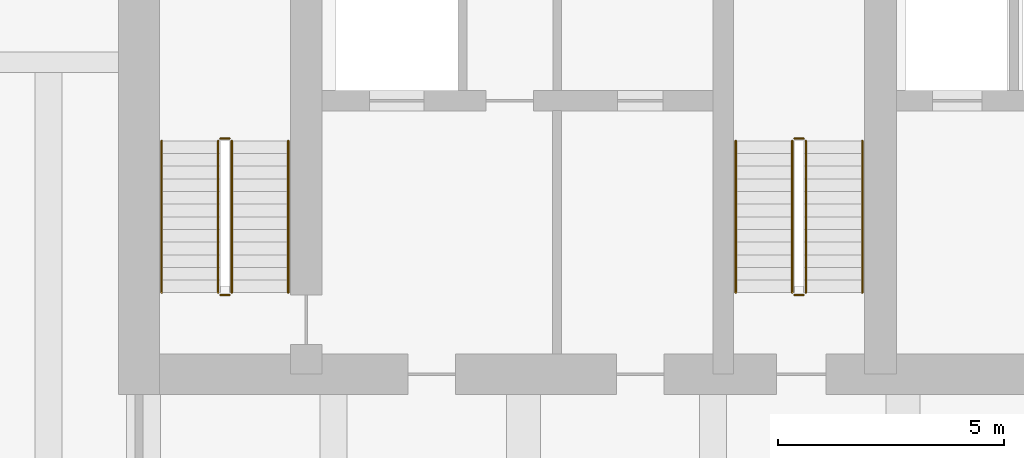
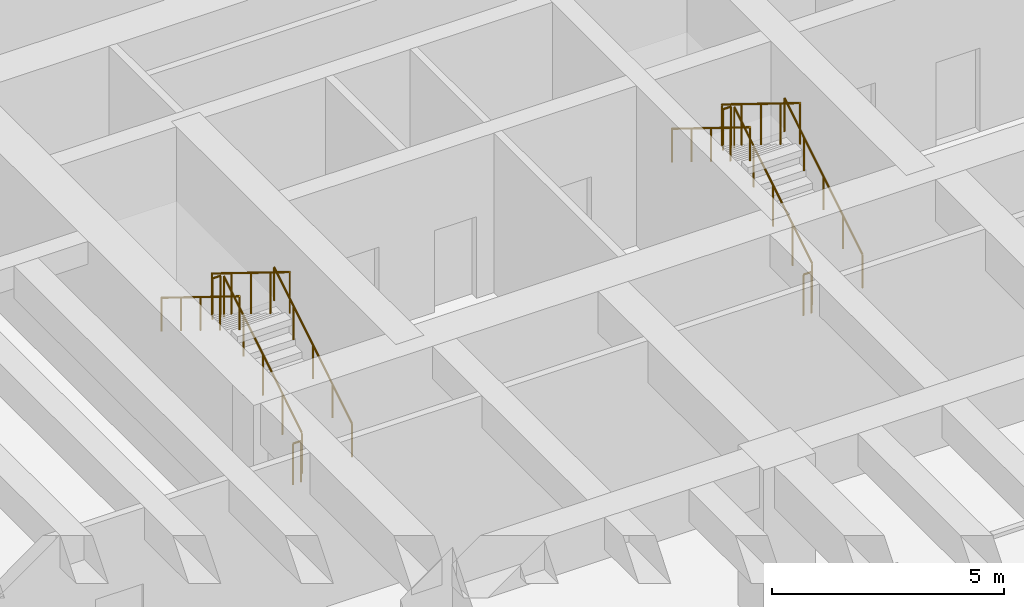
# One storey, part 7 of 8: 12 railings.
"""IFC4 building model written with IfcOpenShell, lengths in metres."""

from ifc_helpers import new_model, si_unit, direction, frame, origin, origin_2d, place, context, subcontext, project, spatial, circle, extrude, material, type_object, element, save


model = new_model("IFC4")

# Units and contexts
model_context = context("Model", 3, precision=1e-05, world=origin(), true_north=direction((0.0, 1.0)))
body_context = subcontext(model_context, "Body", "Model", "MODEL_VIEW")
ifc_project = project(units=[si_unit("LENGTHUNIT", "METRE"), si_unit("AREAUNIT", "SQUARE_METRE"), si_unit("VOLUMEUNIT", "CUBIC_METRE"), si_unit("PLANEANGLEUNIT", "RADIAN"), si_unit("MASSUNIT", "GRAM", prefix="KILO")], contexts=[model_context])

# Site, building, storey
site_placement = place(None, origin())
site = spatial("IfcSite", under=ifc_project, at=site_placement, CompositionType="ELEMENT")
building_placement = place(site_placement, origin())
building = spatial("IfcBuilding", under=site, at=building_placement, Name="Caelmar Bay Residences", CompositionType="ELEMENT")
storey_placement = place(building_placement, frame((0.0, 0.0, -4.5)))
storey = spatial("IfcBuildingStorey", under=building, at=storey_placement, Name="B01", CompositionType="ELEMENT", Elevation=-4.5)

# Railings
ifc_material_1 = material(Name="Painted galvanized steel stair guard 1100 mm", Category="steel")
railing_type_1 = type_object("IfcRailingType", Name="RL-GRD-1100", PredefinedType="GUARDRAIL", material=ifc_material_1)
railing_1_placement = place(storey_placement, frame((20.25, 38.699951171875, 0.173095703125)))
element("IfcRailing", 1, at=railing_1_placement, inside=storey, type_object=railing_type_1, Name="B01 ST1 stair guard 1", PredefinedType="GUARDRAIL", context=body_context, shape_type="SweptSolid", body=[
    extrude(circle(Radius=0.02392578125, at=origin_2d()), frame((0.0, 0.0, 1.076171875), z_axis=(0.0, 0.850623216509, 0.525775754039), x_axis=(-1.0, 0.0, 0.0)), (0.0, 0.0, 1.0), 3.9501953125),
    extrude(circle(Radius=0.02099609375, at=origin_2d()), origin(), (0.0, 0.0, 1.0), 1.052001953125),
    extrude(circle(Radius=0.02099609375, at=origin_2d()), frame((0.0, 0.840087890625, 0.519287109375)), (0.0, 0.0, 1.0), 1.052001953125),
    extrude(circle(Radius=0.02099609375, at=origin_2d()), frame((0.0, 1.68017578125, 1.03857421875)), (0.0, 0.0, 1.0), 1.052001953125),
    extrude(circle(Radius=0.02099609375, at=origin_2d()), frame((0.0, 2.52001953125, 1.5576171875)), (0.0, 0.0, 1.0), 1.052001953125),
    extrude(circle(Radius=0.02099609375, at=origin_2d()), frame((0.0, 3.360107421875, 2.076904296875)), (0.0, 0.0, 1.0), 1.052001953125),
])
railing_2_placement = place(storey_placement, frame((20.199951171875, 42.110107421875, 2.25)))
element("IfcRailing", 2, at=railing_2_placement, inside=storey, type_object=railing_type_1, Name="B01 ST1 stair guard 2", PredefinedType="GUARDRAIL", context=body_context, shape_type="SweptSolid", body=[
    extrude(circle(Radius=0.02392578125, at=origin_2d()), frame((0.0, 0.0, 1.076171875), z_axis=(-1.0, 0.0, 0.0), x_axis=(0.0, -1.0, 0.0)), (0.0, 0.0, 1.0), 0.199951171875),
    extrude(circle(Radius=0.02099609375, at=origin_2d()), origin(), (0.0, 0.0, 1.0), 1.052001953125),
    extrude(circle(Radius=0.02099609375, at=origin_2d()), frame((-0.199951171875, 0.0, 0.0)), (0.0, 0.0, 1.0), 1.052001953125),
])
railing_3_placement = place(storey_placement, frame((19.949951171875, 42.06005859375, 2.423095703125)))
element("IfcRailing", 3, at=railing_3_placement, inside=storey, type_object=railing_type_1, Name="B01 ST1 stair guard 3", PredefinedType="GUARDRAIL", context=body_context, shape_type="SweptSolid", body=[
    extrude(circle(Radius=0.02392578125, at=origin_2d()), frame((0.0, 0.0, 1.076171875), z_axis=(0.0, -0.850623216509, 0.525775754039), x_axis=(1.0, 0.0, 0.0)), (0.0, 0.0, 1.0), 3.9501953125),
    extrude(circle(Radius=0.02099609375, at=origin_2d()), origin(), (0.0, 0.0, 1.0), 1.052001953125),
    extrude(circle(Radius=0.02099609375, at=origin_2d()), frame((0.0, -0.840087890625, 0.519287109375)), (0.0, 0.0, 1.0), 1.052001953125),
    extrude(circle(Radius=0.02099609375, at=origin_2d()), frame((0.0, -1.68017578125, 1.03857421875)), (0.0, 0.0, 1.0), 1.052001953125),
    extrude(circle(Radius=0.02099609375, at=origin_2d()), frame((0.0, -2.52001953125, 1.5576171875)), (0.0, 0.0, 1.0), 1.052001953125),
    extrude(circle(Radius=0.02099609375, at=origin_2d()), frame((0.0, -3.360107421875, 2.076904296875)), (0.0, 0.0, 1.0), 1.052001953125),
])
railing_4_placement = place(storey_placement, frame((20.199951171875, 38.64990234375, 0.0)))
element("IfcRailing", 4, at=railing_4_placement, inside=storey, type_object=railing_type_1, Name="B01 ST1 stair guard 4", PredefinedType="GUARDRAIL", context=body_context, shape_type="SweptSolid", body=[
    extrude(circle(Radius=0.02392578125, at=origin_2d()), frame((0.0, 0.0, 1.076171875), z_axis=(-1.0, 0.0, 0.0), x_axis=(0.0, -1.0, 0.0)), (0.0, 0.0, 1.0), 0.199951171875),
    extrude(circle(Radius=0.02099609375, at=origin_2d()), origin(), (0.0, 0.0, 1.0), 1.052001953125),
    extrude(circle(Radius=0.02099609375, at=origin_2d()), frame((-0.199951171875, 0.0, 0.0)), (0.0, 0.0, 1.0), 1.052001953125),
])
railing_5_placement = place(storey_placement, frame((32.949951171875, 38.699951171875, 0.173095703125)))
element("IfcRailing", 5, at=railing_5_placement, inside=storey, type_object=railing_type_1, Name="B01 ST3 stair guard 1", PredefinedType="GUARDRAIL", context=body_context, shape_type="SweptSolid", body=[
    extrude(circle(Radius=0.02392578125, at=origin_2d()), frame((0.0, 0.0, 1.076171875), z_axis=(0.0, 0.850623216509, 0.525775754039), x_axis=(-1.0, 0.0, 0.0)), (0.0, 0.0, 1.0), 3.9501953125),
    extrude(circle(Radius=0.02099609375, at=origin_2d()), origin(), (0.0, 0.0, 1.0), 1.052001953125),
    extrude(circle(Radius=0.02099609375, at=origin_2d()), frame((0.0, 0.840087890625, 0.519287109375)), (0.0, 0.0, 1.0), 1.052001953125),
    extrude(circle(Radius=0.02099609375, at=origin_2d()), frame((0.0, 1.68017578125, 1.03857421875)), (0.0, 0.0, 1.0), 1.052001953125),
    extrude(circle(Radius=0.02099609375, at=origin_2d()), frame((0.0, 2.52001953125, 1.5576171875)), (0.0, 0.0, 1.0), 1.052001953125),
    extrude(circle(Radius=0.02099609375, at=origin_2d()), frame((0.0, 3.360107421875, 2.076904296875)), (0.0, 0.0, 1.0), 1.052001953125),
])
railing_6_placement = place(storey_placement, frame((32.89990234375, 42.110107421875, 2.25)))
element("IfcRailing", 6, at=railing_6_placement, inside=storey, type_object=railing_type_1, Name="B01 ST3 stair guard 2", PredefinedType="GUARDRAIL", context=body_context, shape_type="SweptSolid", body=[
    extrude(circle(Radius=0.02392578125, at=origin_2d()), frame((0.0, 0.0, 1.076171875), z_axis=(-1.0, 0.0, 0.0), x_axis=(0.0, -1.0, 0.0)), (0.0, 0.0, 1.0), 0.199951171875),
    extrude(circle(Radius=0.02099609375, at=origin_2d()), origin(), (0.0, 0.0, 1.0), 1.052001953125),
    extrude(circle(Radius=0.02099609375, at=origin_2d()), frame((-0.199951171875, 0.0, 0.0)), (0.0, 0.0, 1.0), 1.052001953125),
])
railing_7_placement = place(storey_placement, frame((32.64990234375, 42.06005859375, 2.423095703125)))
element("IfcRailing", 7, at=railing_7_placement, inside=storey, type_object=railing_type_1, Name="B01 ST3 stair guard 3", PredefinedType="GUARDRAIL", context=body_context, shape_type="SweptSolid", body=[
    extrude(circle(Radius=0.02392578125, at=origin_2d()), frame((0.0, 0.0, 1.076171875), z_axis=(0.0, -0.850623216509, 0.525775754039), x_axis=(1.0, 0.0, 0.0)), (0.0, 0.0, 1.0), 3.9501953125),
    extrude(circle(Radius=0.02099609375, at=origin_2d()), origin(), (0.0, 0.0, 1.0), 1.052001953125),
    extrude(circle(Radius=0.02099609375, at=origin_2d()), frame((0.0, -0.840087890625, 0.519287109375)), (0.0, 0.0, 1.0), 1.052001953125),
    extrude(circle(Radius=0.02099609375, at=origin_2d()), frame((0.0, -1.68017578125, 1.03857421875)), (0.0, 0.0, 1.0), 1.052001953125),
    extrude(circle(Radius=0.02099609375, at=origin_2d()), frame((0.0, -2.52001953125, 1.5576171875)), (0.0, 0.0, 1.0), 1.052001953125),
    extrude(circle(Radius=0.02099609375, at=origin_2d()), frame((0.0, -3.360107421875, 2.076904296875)), (0.0, 0.0, 1.0), 1.052001953125),
])
railing_8_placement = place(storey_placement, frame((32.89990234375, 38.64990234375, 0.0)))
element("IfcRailing", 8, at=railing_8_placement, inside=storey, type_object=railing_type_1, Name="B01 ST3 stair guard 4", PredefinedType="GUARDRAIL", context=body_context, shape_type="SweptSolid", body=[
    extrude(circle(Radius=0.02392578125, at=origin_2d()), frame((0.0, 0.0, 1.076171875), z_axis=(-1.0, 0.0, 0.0), x_axis=(0.0, -1.0, 0.0)), (0.0, 0.0, 1.0), 0.199951171875),
    extrude(circle(Radius=0.02099609375, at=origin_2d()), origin(), (0.0, 0.0, 1.0), 1.052001953125),
    extrude(circle(Radius=0.02099609375, at=origin_2d()), frame((-0.199951171875, 0.0, 0.0)), (0.0, 0.0, 1.0), 1.052001953125),
])
ifc_material_2 = material(Name="Brushed bronze stainless-steel tubular handrail 900 mm", Category="steel")
railing_type_2 = type_object("IfcRailingType", Name="RL-HND-900", PredefinedType="HANDRAIL", material=ifc_material_2)
railing_9_placement = place(storey_placement, frame((21.5, 38.699951171875, 0.173095703125)))
element("IfcRailing", 9, at=railing_9_placement, inside=storey, type_object=railing_type_2, Name="B01 ST1 stair handrail 1", PredefinedType="HANDRAIL", context=body_context, shape_type="SweptSolid", body=[
    extrude(circle(Radius=0.02392578125, at=origin_2d()), frame((0.0, 0.0, 0.8759765625), z_axis=(0.0, 0.850623216509, 0.525775754039), x_axis=(-1.0, 0.0, 0.0)), (0.0, 0.0, 1.0), 3.9501953125),
    extrude(circle(Radius=0.02099609375, at=origin_2d()), origin(), (0.0, 0.0, 1.0), 0.851806640625),
    extrude(circle(Radius=0.02099609375, at=origin_2d()), frame((0.0, 0.840087890625, 0.519287109375)), (0.0, 0.0, 1.0), 0.851806640625),
    extrude(circle(Radius=0.02099609375, at=origin_2d()), frame((0.0, 1.68017578125, 1.03857421875)), (0.0, 0.0, 1.0), 0.851806640625),
    extrude(circle(Radius=0.02099609375, at=origin_2d()), frame((0.0, 2.52001953125, 1.5576171875)), (0.0, 0.0, 1.0), 0.851806640625),
    extrude(circle(Radius=0.02099609375, at=origin_2d()), frame((0.0, 3.360107421875, 2.076904296875)), (0.0, 0.0, 1.0), 0.851806640625),
])
railing_10_placement = place(storey_placement, frame((18.699951171875, 42.06005859375, 2.423095703125)))
element("IfcRailing", 10, at=railing_10_placement, inside=storey, type_object=railing_type_2, Name="B01 ST1 stair handrail 2", PredefinedType="HANDRAIL", context=body_context, shape_type="SweptSolid", body=[
    extrude(circle(Radius=0.02392578125, at=origin_2d()), frame((0.0, 0.0, 0.8759765625), z_axis=(0.0, -0.850623216509, 0.525775754039), x_axis=(1.0, 0.0, 0.0)), (0.0, 0.0, 1.0), 3.9501953125),
    extrude(circle(Radius=0.02099609375, at=origin_2d()), origin(), (0.0, 0.0, 1.0), 0.851806640625),
    extrude(circle(Radius=0.02099609375, at=origin_2d()), frame((0.0, -0.840087890625, 0.519287109375)), (0.0, 0.0, 1.0), 0.851806640625),
    extrude(circle(Radius=0.02099609375, at=origin_2d()), frame((0.0, -1.68017578125, 1.03857421875)), (0.0, 0.0, 1.0), 0.851806640625),
    extrude(circle(Radius=0.02099609375, at=origin_2d()), frame((0.0, -2.52001953125, 1.5576171875)), (0.0, 0.0, 1.0), 0.851806640625),
    extrude(circle(Radius=0.02099609375, at=origin_2d()), frame((0.0, -3.360107421875, 2.076904296875)), (0.0, 0.0, 1.0), 0.851806640625),
])
railing_11_placement = place(storey_placement, frame((34.199951171875, 38.699951171875, 0.173095703125)))
element("IfcRailing", 11, at=railing_11_placement, inside=storey, type_object=railing_type_2, Name="B01 ST3 stair handrail 1", PredefinedType="HANDRAIL", context=body_context, shape_type="SweptSolid", body=[
    extrude(circle(Radius=0.02392578125, at=origin_2d()), frame((0.0, 0.0, 0.8759765625), z_axis=(0.0, 0.850623216509, 0.525775754039), x_axis=(-1.0, 0.0, 0.0)), (0.0, 0.0, 1.0), 3.9501953125),
    extrude(circle(Radius=0.02099609375, at=origin_2d()), origin(), (0.0, 0.0, 1.0), 0.851806640625),
    extrude(circle(Radius=0.02099609375, at=origin_2d()), frame((0.0, 0.840087890625, 0.519287109375)), (0.0, 0.0, 1.0), 0.851806640625),
    extrude(circle(Radius=0.02099609375, at=origin_2d()), frame((0.0, 1.68017578125, 1.03857421875)), (0.0, 0.0, 1.0), 0.851806640625),
    extrude(circle(Radius=0.02099609375, at=origin_2d()), frame((0.0, 2.52001953125, 1.5576171875)), (0.0, 0.0, 1.0), 0.851806640625),
    extrude(circle(Radius=0.02099609375, at=origin_2d()), frame((0.0, 3.360107421875, 2.076904296875)), (0.0, 0.0, 1.0), 0.851806640625),
])
railing_12_placement = place(storey_placement, frame((31.39990234375, 42.06005859375, 2.423095703125)))
element("IfcRailing", 12, at=railing_12_placement, inside=storey, type_object=railing_type_2, Name="B01 ST3 stair handrail 2", PredefinedType="HANDRAIL", context=body_context, shape_type="SweptSolid", body=[
    extrude(circle(Radius=0.02392578125, at=origin_2d()), frame((0.0, 0.0, 0.8759765625), z_axis=(0.0, -0.850623216509, 0.525775754039), x_axis=(1.0, 0.0, 0.0)), (0.0, 0.0, 1.0), 3.9501953125),
    extrude(circle(Radius=0.02099609375, at=origin_2d()), origin(), (0.0, 0.0, 1.0), 0.851806640625),
    extrude(circle(Radius=0.02099609375, at=origin_2d()), frame((0.0, -0.840087890625, 0.519287109375)), (0.0, 0.0, 1.0), 0.851806640625),
    extrude(circle(Radius=0.02099609375, at=origin_2d()), frame((0.0, -1.68017578125, 1.03857421875)), (0.0, 0.0, 1.0), 0.851806640625),
    extrude(circle(Radius=0.02099609375, at=origin_2d()), frame((0.0, -2.52001953125, 1.5576171875)), (0.0, 0.0, 1.0), 0.851806640625),
    extrude(circle(Radius=0.02099609375, at=origin_2d()), frame((0.0, -3.360107421875, 2.076904296875)), (0.0, 0.0, 1.0), 0.851806640625),
])

save(model, "model.ifc")
